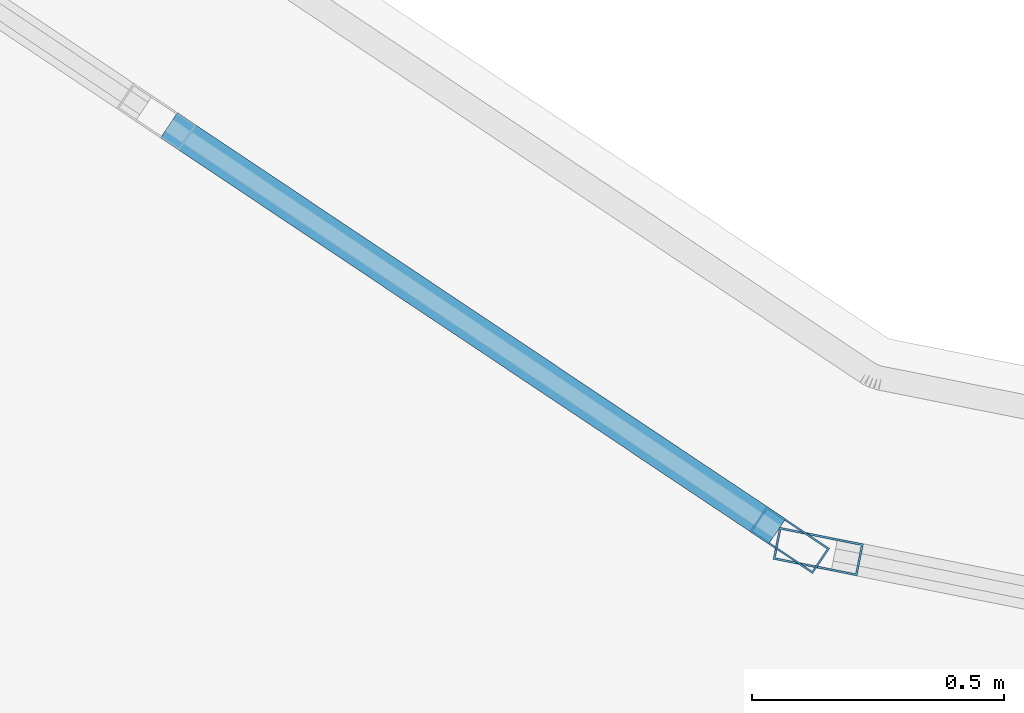
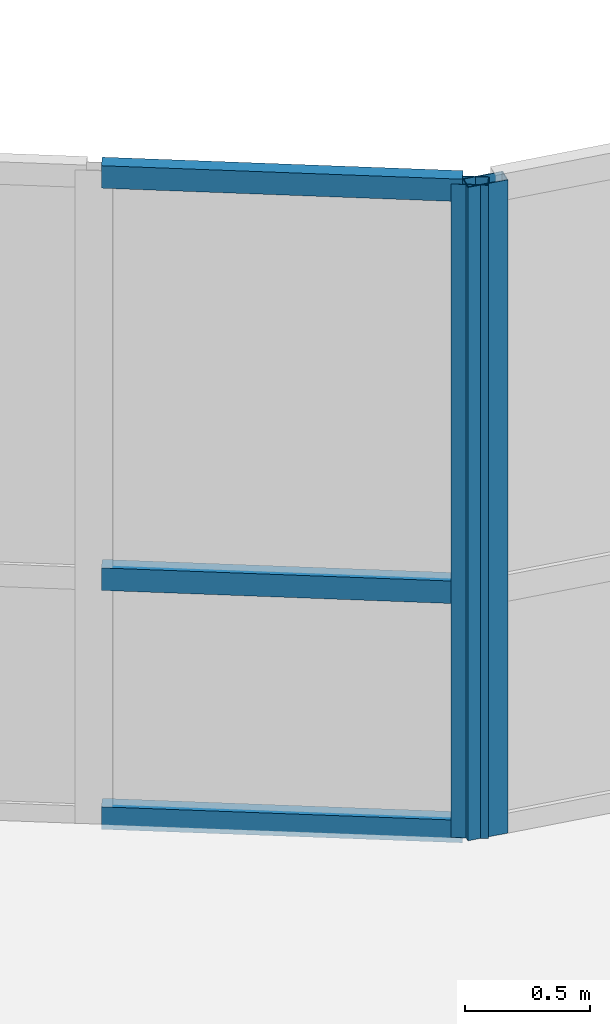
# One storey, part 20 of 104: 5 members, 2 elements without a shape of their own.
"""IFC4 building model written with IfcOpenShell, lengths in metres."""

from ifc_helpers import new_model, si_unit, direction, frame, origin, origin_2d, place, context, subcontext, project, spatial, hollow_rectangle, extrude, material, layer, layer_set, material_profile, profile_set, type_object, element, aggregate, save


model = new_model("IFC4")

# Units and contexts
model_context = context("Model", 3, precision=1e-05, world=origin(), true_north=direction((0.0, 1.0)))
body_context = subcontext(model_context, "Body", "Model", "MODEL_VIEW")
ifc_project = project(units=[si_unit("LENGTHUNIT", "METRE"), si_unit("AREAUNIT", "SQUARE_METRE"), si_unit("VOLUMEUNIT", "CUBIC_METRE"), si_unit("PLANEANGLEUNIT", "RADIAN"), si_unit("MASSUNIT", "GRAM", prefix="KILO"), si_unit("THERMODYNAMICTEMPERATUREUNIT", "KELVIN")], contexts=[model_context])

# Site, building, storey
site_placement = place(None, origin())
site = spatial("IfcSite", under=ifc_project, at=site_placement, CompositionType="ELEMENT")
building_placement = place(site_placement, origin())
building = spatial("IfcBuilding", under=site, at=building_placement, Name="Lustrewick Department Store", CompositionType="ELEMENT")
storey_placement = place(building_placement, frame((0.0, 0.0, 11.39990234375)))
storey = spatial("IfcBuildingStorey", under=building, at=storey_placement, Name="L03", CompositionType="ELEMENT", Elevation=11.39990234375)

# Curtain wall, member
ifc_material = material(Name="Thermally broken aluminium 6063-T5", Category="aluminium")
ifc_layer_1 = layer(ifc_material, 0.169921875, Name="Thermally broken aluminium 6063-T5")
ifc_layer_set_1 = layer_set([ifc_layer_1], Name="Thermally broken aluminium 6063-T5")
curtain_wall_type_1 = type_object("IfcCurtainWallType", Name="CW16", PredefinedType="NOTDEFINED", material=ifc_layer_set_1)
curtain_wall_1_placement = place(storey_placement, origin())
curtain_wall_1 = element("IfcCurtainWall", 1, at=curtain_wall_1_placement, inside=storey, type_object=curtain_wall_type_1, Name="L03 Atrium Glazed Screen CW16", PredefinedType="NOTDEFINED")
ifc_material_profile_1 = material_profile(ifc_material, hollow_rectangle(XDim=0.06494140625, YDim=0.169921875, WallThickness=0.00390625, at=origin_2d()), Name="ALU-M 65x170x4")
ifc_profile_set_1 = profile_set([ifc_material_profile_1], Name="Thermally broken aluminium 6063-T5")
member_type_1 = type_object("IfcMemberType", Name="CW16-M1", PredefinedType="MULLION", material=ifc_profile_set_1)
member_1_placement = place(storey_placement, frame((24.89697265625, 56.24560546875, 0.0), z_axis=(0.0, 0.0, 1.0), x_axis=(0.195084537521, 0.980786430993, 0.0)))
member_1 = element("IfcMember", 2, at=member_1_placement, type_object=member_type_1, Name="CW16 mullion 1", PredefinedType="MULLION", context=body_context, shape_type="SweptSolid", body=[
    extrude(hollow_rectangle(XDim=0.06494140625, YDim=0.169921875, WallThickness=0.00390625, at=origin_2d()), origin(), (0.0, 0.0, 1.0), 3.2001953125),
])
aggregate(curtain_wall_1, [member_1])

# Curtain wall, members
ifc_layer_2 = layer(ifc_material, 0.14990234375, Name="Thermally broken aluminium 6063-T5")
ifc_layer_set_2 = layer_set([ifc_layer_2], Name="Thermally broken aluminium 6063-T5")
curtain_wall_type_2 = type_object("IfcCurtainWallType", Name="CW18", PredefinedType="NOTDEFINED", material=ifc_layer_set_2)
curtain_wall_2_placement = place(storey_placement, origin())
curtain_wall_2 = element("IfcCurtainWall", 3, at=curtain_wall_2_placement, inside=storey, type_object=curtain_wall_type_2, Name="L03 Atrium Glazed Screen CW18", PredefinedType="NOTDEFINED")
ifc_material_profile_2 = material_profile(ifc_material, hollow_rectangle(XDim=0.06005859375, YDim=0.14990234375, WallThickness=0.00341796875, at=origin_2d()), Name="ALU-M 60x150x3.5")
ifc_profile_set_2 = profile_set([ifc_material_profile_2], Name="Thermally broken aluminium 6063-T5")
member_type_2 = type_object("IfcMemberType", Name="CW18-M1", PredefinedType="MULLION", material=ifc_profile_set_2)
member_2_placement = place(storey_placement, frame((24.84033203125, 56.2685546875, 0.0), z_axis=(0.0, 0.0, 1.0), x_axis=(0.555578313862, 0.831464212799, 0.0)))
member_2 = element("IfcMember", 4, at=member_2_placement, type_object=member_type_2, Name="CW18 mullion 4", PredefinedType="MULLION", context=body_context, shape_type="SweptSolid", body=[
    extrude(hollow_rectangle(XDim=0.06005859375, YDim=0.14990234375, WallThickness=0.00341796875, at=origin_2d()), origin(), (0.0, 0.0, 1.0), 3.2001953125),
])
ifc_material_profile_3 = material_profile(ifc_material, hollow_rectangle(XDim=0.06005859375, YDim=0.110107421875, WallThickness=0.0029296875, at=origin_2d()), Name="ALU-T 60x110x3")
ifc_profile_set_3 = profile_set([ifc_material_profile_3], Name="Thermally broken aluminium 6063-T5")
member_type_3 = type_object("IfcMemberType", Name="CW18-T1", PredefinedType="USERDEFINED", material=ifc_profile_set_3)
member_3_placement = place(storey_placement, frame((23.608642578125, 57.091552734375, 0.030029296875), z_axis=(0.831532319099, -0.555476374199, 0.0), x_axis=(0.555476374199, 0.831532319099, 0.0)))
member_3 = element("IfcMember", 5, at=member_3_placement, type_object=member_type_3, Name="CW18 transom 3.1", ObjectType="TRANSOM", PredefinedType="USERDEFINED", context=body_context, shape_type="SweptSolid", body=[
    extrude(hollow_rectangle(XDim=0.06005859375, YDim=0.110107421875, WallThickness=0.0029296875, at=origin_2d()), origin(), (0.0, 0.0, 1.0), 1.451171875),
])
member_4_placement = place(storey_placement, frame((23.608642578125, 57.091552734375, 1.2001953125), z_axis=(0.831532319099, -0.555476374199, 0.0), x_axis=(0.555476374199, 0.831532319099, 0.0)))
member_4 = element("IfcMember", 6, at=member_4_placement, type_object=member_type_3, Name="CW18 transom 3.2", ObjectType="TRANSOM", PredefinedType="USERDEFINED", context=body_context, shape_type="SweptSolid", body=[
    extrude(hollow_rectangle(XDim=0.06005859375, YDim=0.110107421875, WallThickness=0.0029296875, at=origin_2d()), origin(), (0.0, 0.0, 1.0), 1.451171875),
])
member_5_placement = place(storey_placement, frame((23.608642578125, 57.091552734375, 3.170166015625), z_axis=(0.831532319099, -0.555476374199, 0.0), x_axis=(0.555476374199, 0.831532319099, 0.0)))
member_5 = element("IfcMember", 7, at=member_5_placement, type_object=member_type_3, Name="CW18 transom 3.3", ObjectType="TRANSOM", PredefinedType="USERDEFINED", context=body_context, shape_type="SweptSolid", body=[
    extrude(hollow_rectangle(XDim=0.06005859375, YDim=0.110107421875, WallThickness=0.0029296875, at=origin_2d()), origin(), (0.0, 0.0, 1.0), 1.451171875),
])
aggregate(curtain_wall_2, [member_2, member_3, member_4, member_5])

save(model, "model.ifc")
